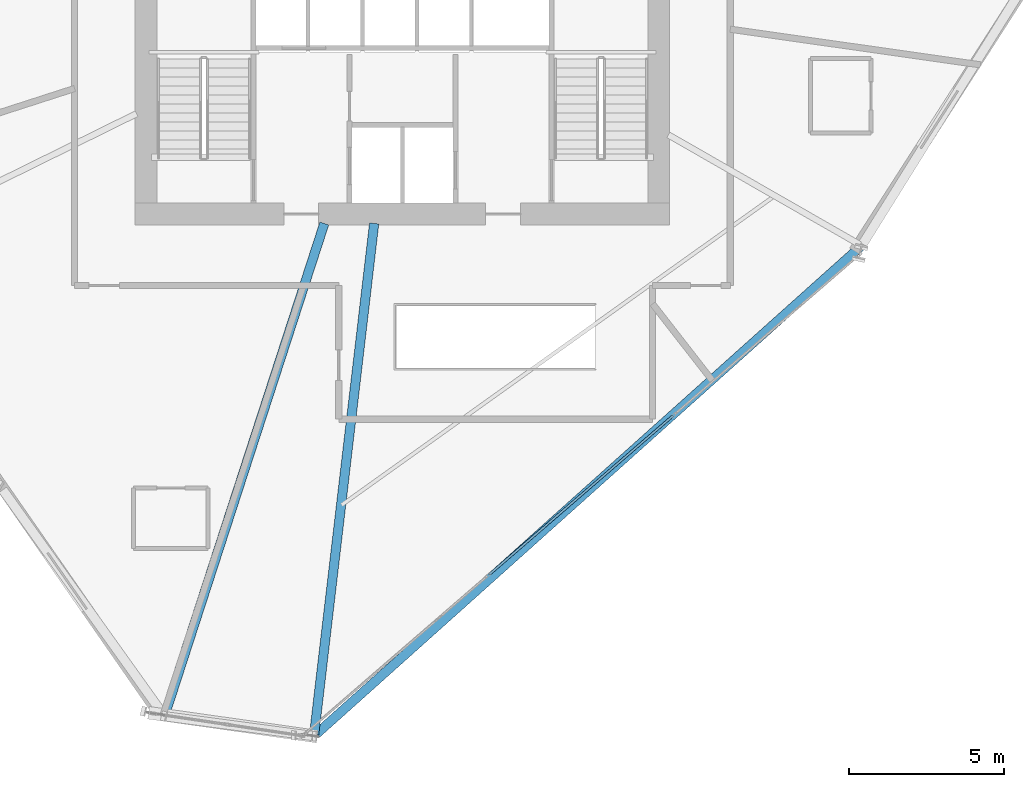
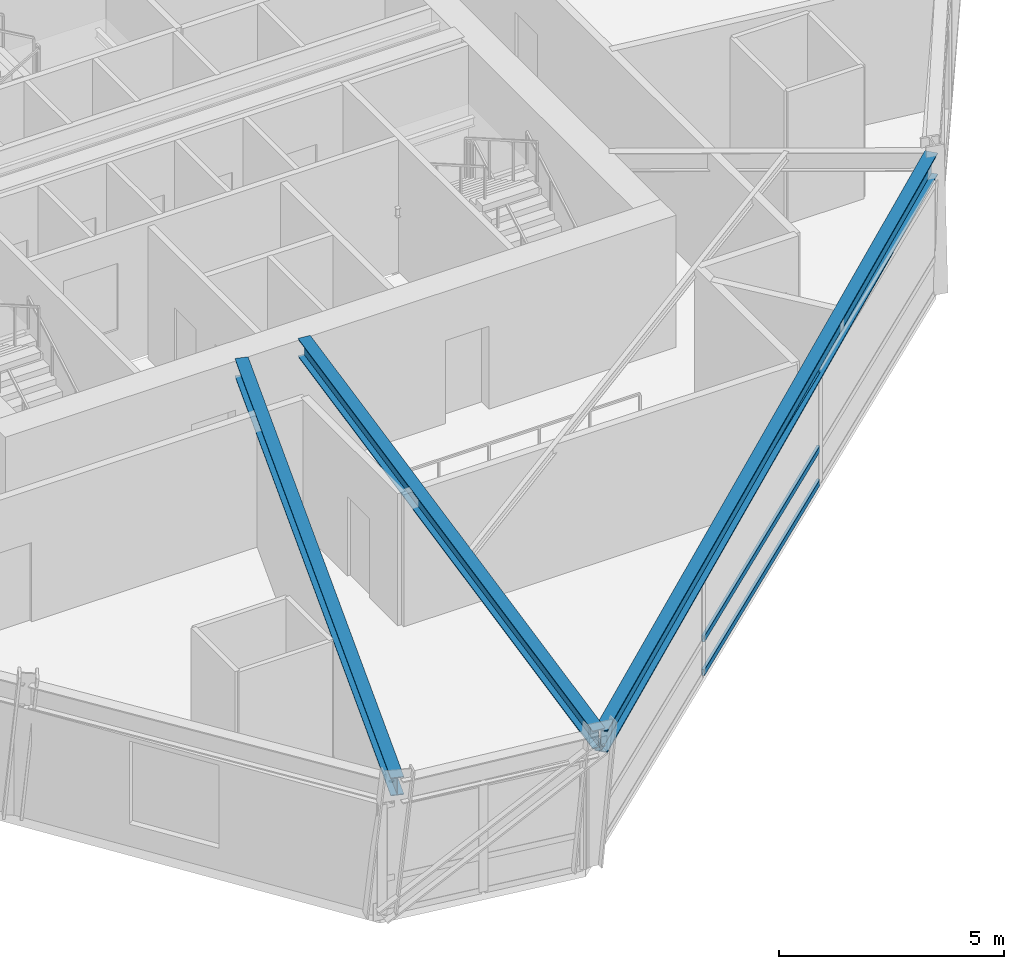
# One storey, part 4 of 16: 3 beams, 3 members, 1 element without a shape of its own.
"""IFC4 building model written with IfcOpenShell, lengths in metres."""

from ifc_helpers import new_model, si_unit, direction, frame, origin, origin_2d, place, context, subcontext, project, spatial, hollow_rectangle, i_section, extrude, source, transform, mapped, material, material_profile, profile_set, type_object, element, aggregate, save


model = new_model("IFC4")

# Units and contexts
model_context = context("Model", 3, precision=1e-05, world=origin(), true_north=direction((0.0, 1.0)))
body_context = subcontext(model_context, "Body", "Model", "MODEL_VIEW")
ifc_project = project(units=[si_unit("LENGTHUNIT", "METRE"), si_unit("AREAUNIT", "SQUARE_METRE"), si_unit("VOLUMEUNIT", "CUBIC_METRE"), si_unit("PLANEANGLEUNIT", "RADIAN"), si_unit("MASSUNIT", "GRAM", prefix="KILO")], contexts=[model_context])

# Site, building, storey
site_placement = place(None, origin())
site = spatial("IfcSite", under=ifc_project, at=site_placement, CompositionType="ELEMENT")
building_placement = place(site_placement, origin())
building = spatial("IfcBuilding", under=site, at=building_placement, Name="Olszyna Solenne Hotel", CompositionType="ELEMENT")
storey_placement = place(building_placement, frame((0.0, 0.0, 138.10009765625)))
storey = spatial("IfcBuildingStorey", under=building, at=storey_placement, Name="L36", CompositionType="ELEMENT", Elevation=138.10009765625)

# Beams
ifc_material_1 = material(Name="Steel S355J2", Category="steel")
ifc_material_profile_1 = material_profile(ifc_material_1, i_section(OverallWidth=0.300048828125, OverallDepth=0.60009765625, WebThickness=0.015380859375, FlangeThickness=0.030029296875, at=origin_2d()), Name="HEB 600", Category="load-bearing")
ifc_profile_set_1 = profile_set([ifc_material_profile_1], Name="Steel S355J2")
beam_type_1 = type_object("IfcBeamType", Name="BM-S2", PredefinedType="BEAM", material=ifc_profile_set_1)
shared_shape_1 = source(origin(), body_context, "Body", "SweptSolid", [
    extrude(i_section(OverallWidth=0.300048828125, OverallDepth=0.60009765625, WebThickness=0.015380859375, FlangeThickness=0.030029296875, at=origin_2d()), origin(), (0.0, 0.0, 1.0), 23.541748046875),
])
beam_1_placement = place(storey_placement, frame((35.1953125, 2.389892578125, 3.27978515625), z_axis=(0.744999598846, 0.667064912673, 0.0), x_axis=(-0.667064912673, 0.744999598846, 0.0)))
element("IfcBeam", 1, at=beam_1_placement, inside=storey, type_object=beam_type_1, Name="Perimeter spandrel beam BM-S2 B-L36-1078", PredefinedType="BEAM", context=body_context, shape_type="MappedRepresentation", body=[
    mapped(shared_shape_1, transform((0.0, 0.0, 0.0), x_axis=(1.0, 0.0, 0.0), y_axis=(0.0, 1.0, 0.0), z_axis=(0.0, 0.0, 1.0), scale=1.0)),
])
ifc_material_profile_2 = material_profile(ifc_material_1, i_section(OverallWidth=0.300048828125, OverallDepth=0.489990234375, WebThickness=0.011962890625, FlangeThickness=0.02294921875, at=origin_2d()), Name="HEA 500", Category="load-bearing")
ifc_profile_set_2 = profile_set([ifc_material_profile_2], Name="Steel S355J2")
beam_type_2 = type_object("IfcBeamType", Name="BM-G1", PredefinedType="BEAM", material=ifc_profile_set_2)
shared_shape_2 = source(origin(), body_context, "Body", "SweptSolid", [
    extrude(i_section(OverallWidth=0.300048828125, OverallDepth=0.489990234375, WebThickness=0.011962890625, FlangeThickness=0.02294921875, at=origin_2d()), origin(), (0.0, 0.0, 1.0), 16.60986328125),
])
beam_2_placement = place(storey_placement, frame((30.358154296875, 3.048828125, 3.3349609375), z_axis=(0.308642005169, 0.951178275953, 0.0), x_axis=(-0.951178275953, 0.308642005169, 0.0)))
element("IfcBeam", 2, at=beam_2_placement, inside=storey, type_object=beam_type_2, Name="Radial floor girder BM-G1 B-L36-1087", PredefinedType="BEAM", context=body_context, shape_type="MappedRepresentation", body=[
    mapped(shared_shape_2, transform((0.0, 0.0, 0.0), x_axis=(1.0, 0.0, 0.0), y_axis=(0.0, 1.0, 0.0), z_axis=(0.0, 0.0, 1.0), scale=1.0)),
])
shared_shape_3 = source(origin(), body_context, "Body", "SweptSolid", [
    extrude(i_section(OverallWidth=0.300048828125, OverallDepth=0.489990234375, WebThickness=0.011962890625, FlangeThickness=0.02294921875, at=origin_2d()), origin(), (0.0, 0.0, 1.0), 16.55322265625),
])
beam_3_placement = place(storey_placement, frame((35.15771484375, 2.409423828125, 3.3349609375), z_axis=(0.116692349012, 0.993168110484, 0.0), x_axis=(-0.993168110484, 0.116692349012, 0.0)))
element("IfcBeam", 3, at=beam_3_placement, inside=storey, type_object=beam_type_2, Name="Radial floor girder BM-G1 B-L36-1088", PredefinedType="BEAM", context=body_context, shape_type="MappedRepresentation", body=[
    mapped(shared_shape_3, transform((0.0, 0.0, 0.0), x_axis=(1.0, 0.0, 0.0), y_axis=(0.0, 1.0, 0.0), z_axis=(0.0, 0.0, 1.0), scale=1.0)),
])

# Curtain wall, members
ifc_material_2 = material(Name="Anodised bronze aluminium", Category="aluminium")
curtain_wall_type = type_object("IfcCurtainWallType", Name="CW-SYS-6", PredefinedType="NOTDEFINED", material=ifc_material_2)
curtain_wall_placement = place(storey_placement, origin())
curtain_wall = element("IfcCurtainWall", 4, at=curtain_wall_placement, inside=storey, type_object=curtain_wall_type, Name="Unitised curtain wall CW-SYS-6 CW-L36-01", PredefinedType="NOTDEFINED")
ifc_material_profile_3 = material_profile(ifc_material_2, hollow_rectangle(XDim=0.074951171875, YDim=0.159912109375, WallThickness=0.00390625, at=origin_2d()), Name="TRAN 160x75x4", Category="load-bearing")
ifc_profile_set_3 = profile_set([ifc_material_profile_3], Name="Anodised bronze aluminium")
member_type = type_object("IfcMemberType", Name="CW-T1", PredefinedType="USERDEFINED", material=ifc_profile_set_3)
shared_shape_4 = source(origin(), body_context, "Body", "SweptSolid", [
    extrude(hollow_rectangle(XDim=0.074951171875, YDim=0.159912109375, WallThickness=0.00390625, at=origin_2d()), origin(), (0.0, 0.0, 1.0), 7.81787109375),
])
member_1_placement = place(storey_placement, frame((40.79150390625, 7.551513671875, 0.037353515625), z_axis=(0.75666710233, 0.653800348922, 0.0), x_axis=(-0.653800348922, 0.75666710233, 0.0)))
member_1 = element("IfcMember", 5, at=member_1_placement, type_object=member_type, Name="Curtain-wall transom CW-T1 CT-L36-01-04", ObjectType="TRANSOM", PredefinedType="USERDEFINED", context=body_context, shape_type="MappedRepresentation", body=[
    mapped(shared_shape_4, transform((0.0, 0.0, 0.0), x_axis=(1.0, 0.0, 0.0), y_axis=(0.0, 1.0, 0.0), z_axis=(0.0, 0.0, 1.0), scale=1.0)),
])
member_2_placement = place(storey_placement, frame((40.79150390625, 7.551513671875, 0.949951171875), z_axis=(0.75666710233, 0.653800348922, 0.0), x_axis=(-0.653800348922, 0.75666710233, 0.0)))
member_2 = element("IfcMember", 6, at=member_2_placement, type_object=member_type, Name="Curtain-wall transom CW-T1 CT-L36-01-05", ObjectType="TRANSOM", PredefinedType="USERDEFINED", context=body_context, shape_type="MappedRepresentation", body=[
    mapped(shared_shape_4, transform((0.0, 0.0, 0.0), x_axis=(1.0, 0.0, 0.0), y_axis=(0.0, 1.0, 0.0), z_axis=(0.0, 0.0, 1.0), scale=1.0)),
])
member_3_placement = place(storey_placement, frame((40.79150390625, 7.551513671875, 2.934326171875), z_axis=(0.75666710233, 0.653800348922, 0.0), x_axis=(-0.653800348922, 0.75666710233, 0.0)))
member_3 = element("IfcMember", 7, at=member_3_placement, type_object=member_type, Name="Curtain-wall transom CW-T1 CT-L36-01-06", ObjectType="TRANSOM", PredefinedType="USERDEFINED", context=body_context, shape_type="MappedRepresentation", body=[
    mapped(shared_shape_4, transform((0.0, 0.0, 0.0), x_axis=(1.0, 0.0, 0.0), y_axis=(0.0, 1.0, 0.0), z_axis=(0.0, 0.0, 1.0), scale=1.0)),
])
aggregate(curtain_wall, [member_1, member_2, member_3])

save(model, "model.ifc")
